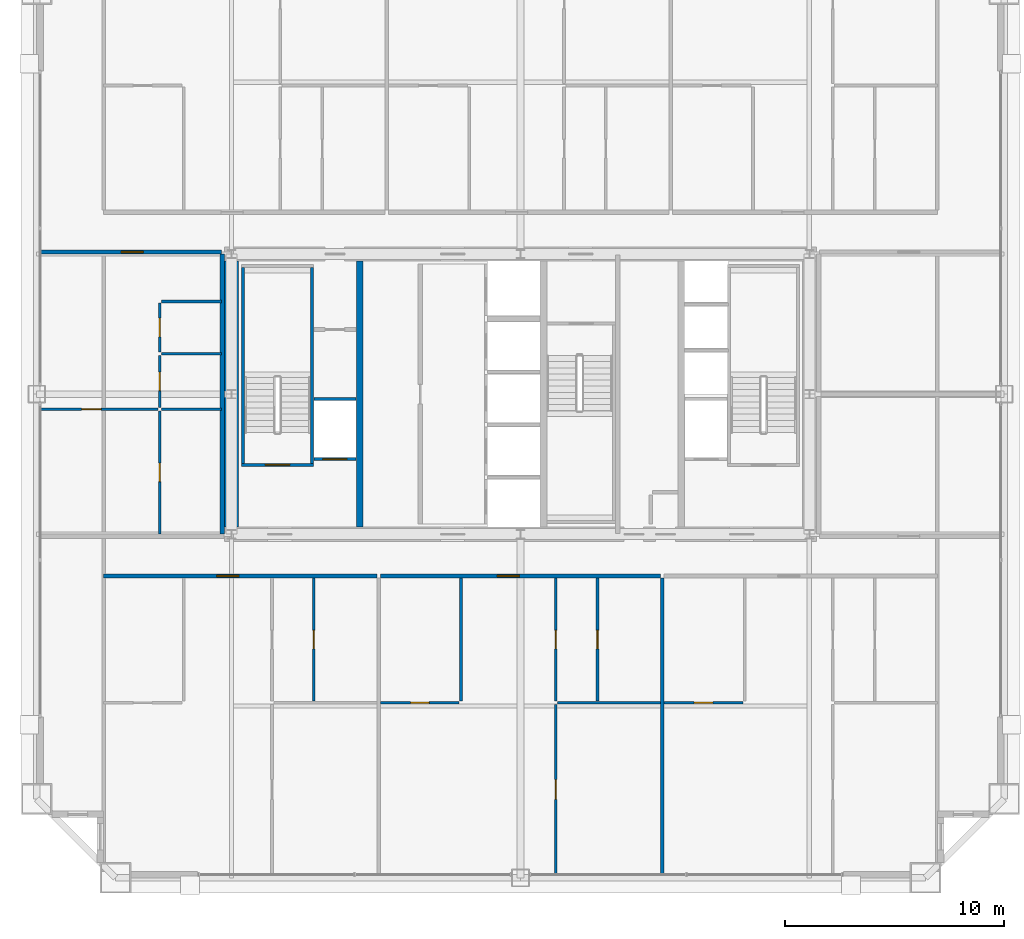
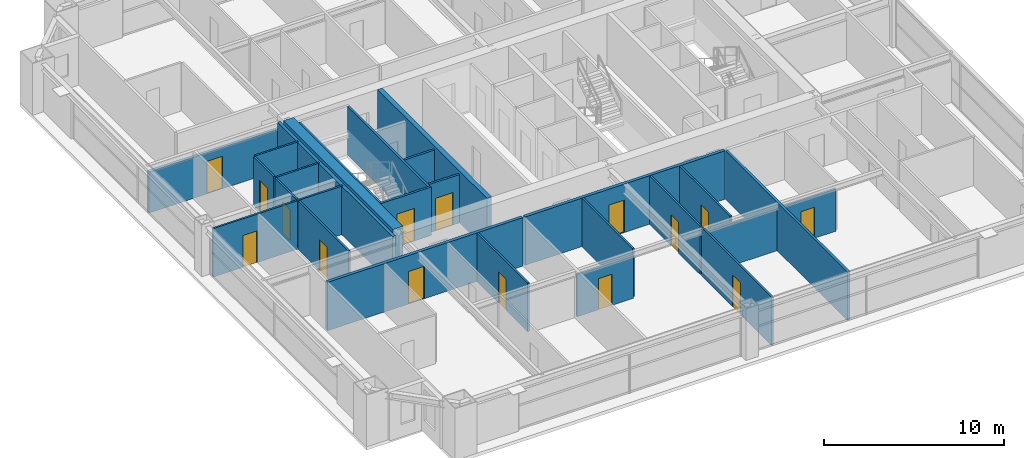
# One storey, part 33 of 38: 27 walls, 15 doors, 15 openings.
"""IFC4 building model written with IfcOpenShell, lengths in metres."""

from ifc_helpers import new_model, si_unit, direction, frame, frame_2d, origin, place, context, subcontext, project, spatial, rectangle, extrude, source, transform, mapped, material, layer, layer_set, type_object, element, fill, save


model = new_model("IFC4")

# Units and contexts
model_context = context("Model", 3, precision=1e-05, world=origin(), true_north=direction((0.0, 1.0)))
body_context = subcontext(model_context, "Body", "Model", "MODEL_VIEW")
ifc_project = project(units=[si_unit("LENGTHUNIT", "METRE"), si_unit("AREAUNIT", "SQUARE_METRE"), si_unit("VOLUMEUNIT", "CUBIC_METRE"), si_unit("PLANEANGLEUNIT", "RADIAN"), si_unit("MASSUNIT", "GRAM", prefix="KILO"), si_unit("THERMODYNAMICTEMPERATUREUNIT", "KELVIN"), si_unit("POWERUNIT", "WATT")], contexts=[model_context])

# Site, building, storey
site_placement = place(None, origin())
site = spatial("IfcSite", under=ifc_project, at=site_placement, CompositionType="ELEMENT")
building_placement = place(site_placement, origin())
building = spatial("IfcBuilding", under=site, at=building_placement, Name="Yuzanri Waterfront Tower", CompositionType="ELEMENT")
storey_placement = place(building_placement, frame((0.0, 0.0, 209.0)))
storey = spatial("IfcBuildingStorey", under=building, at=storey_placement, Name="L55", CompositionType="ELEMENT", Elevation=209.0)

# Wall, opening, door
ifc_material_1 = material(Name="Moisture-Resistant Gypsum Stud Wall", Category="gypsum")
ifc_layer_1 = layer(ifc_material_1, 0.1201171875)
ifc_layer_set_1 = layer_set([ifc_layer_1], Name="Moisture-Resistant Gypsum Stud Wall")
wall_type_1 = type_object("IfcWallType", Name="Bathroom and Kitchen Wet Partition 120", PredefinedType="PARTITIONING", material=ifc_layer_set_1)
wall_1_placement = place(storey_placement, frame((27.56005859375, 11.780029296875, 0.0), z_axis=(0.0, 0.0, 1.0), x_axis=(0.0, 1.0, 0.0)))
wall_1 = element("IfcWall", 1, at=wall_1_placement, inside=storey, type_object=wall_type_1, Name="L55 Partition UW-L55-RS1-SUB-2-W", PredefinedType="PARTITIONING", context=body_context, shape_type="SweptSolid", body=[
    extrude(rectangle(XDim=5.60986328125, YDim=0.1201171875, at=frame_2d((2.804931640625, 0.0))), origin(), (0.0, 0.0, 1.0), 3.280029296875),
])
opening_1_placement = place(wall_1_placement, frame((2.3798828125, 0.0, 0.0)))
opening_1 = element("IfcOpeningElement", 2, at=opening_1_placement, cuts=wall_1, Name="Opening ID-0850", PredefinedType="OPENING", context=body_context, shape_type="SweptSolid", body=[
    extrude(rectangle(XDim=0.85009765625, YDim=2.10009765625, at=frame_2d((0.425048828125, 1.050048828125))), frame((0.0, 0.074951171875, 0.0), z_axis=(0.0, -1.0, 0.0), x_axis=(1.0, 0.0, 0.0)), (0.0, 0.0, 1.0), 0.14990234375),
])
ifc_material_2 = material(Name="Moisture-Resistant Lacquered Timber", Category="wood")
door_type_1 = type_object("IfcDoorType", Name="En-Suite Bathroom and Kitchen Swing Door 850x2100", OperationType="NOTDEFINED", PredefinedType="DOOR", material=ifc_material_2)
shared_shape_1 = source(origin(), body_context, "Body", "SweptSolid", [
    extrude(rectangle(XDim=0.85009765625, YDim=2.10009765625, at=frame_2d((0.425048828125, 1.050048828125))), frame((0.0, 0.02490234375, 0.0), z_axis=(0.0, -1.0, 0.0), x_axis=(1.0, 0.0, 0.0)), (0.0, 0.0, 1.0), 0.050048828125),
])
door_1_placement = place(opening_1_placement, origin())
door_1 = element("IfcDoor", 3, at=door_1_placement, inside=storey, type_object=door_type_1, Name="L55 Suite Interior Room Door", OperationType="SINGLE_SWING_RIGHT", OverallHeight=2.10009765625, OverallWidth=0.85009765625, PredefinedType="DOOR", context=body_context, shape_type="MappedRepresentation", body=[
    mapped(shared_shape_1, transform((0.0, 0.0, 0.0), scale=1.0)),
])
fill(opening_1, door_1)

wall_2_placement = place(storey_placement, frame((30.60009765625, 11.699951171875, 0.0), z_axis=(0.0, 0.0, 1.0), x_axis=(1.0, 0.0, 0.0)))
wall_2 = element("IfcWall", 4, at=wall_2_placement, inside=storey, type_object=wall_type_1, Name="L55 Partition UW-L55-RS2-SUB-1-S", PredefinedType="PARTITIONING", context=body_context, shape_type="SweptSolid", body=[
    extrude(rectangle(XDim=3.599853515625, YDim=0.1201171875, at=frame_2d((1.7998046875, 0.0))), origin(), (0.0, 0.0, 1.0), 2.875),
])
opening_2_placement = place(wall_2_placement, frame((1.375, 0.0, 0.0)))
opening_2 = element("IfcOpeningElement", 5, at=opening_2_placement, cuts=wall_2, Name="Opening ID-0850", PredefinedType="OPENING", context=body_context, shape_type="SweptSolid", body=[
    extrude(rectangle(XDim=0.85009765625, YDim=2.10009765625, at=frame_2d((0.425048828125, 1.050048828125))), frame((0.0, 0.074951171875, 0.0), z_axis=(0.0, -1.0, 0.0), x_axis=(1.0, 0.0, 0.0)), (0.0, 0.0, 1.0), 0.14990234375),
])
door_2_placement = place(opening_2_placement, origin())
door_2 = element("IfcDoor", 6, at=door_2_placement, inside=storey, type_object=door_type_1, Name="L55 Suite Interior Room Door", OperationType="SINGLE_SWING_RIGHT", OverallHeight=2.10009765625, OverallWidth=0.85009765625, PredefinedType="DOOR", context=body_context, shape_type="MappedRepresentation", body=[
    mapped(shared_shape_1, transform((0.0, 0.0, 0.0), scale=1.0)),
])
fill(opening_2, door_2)

wall_3_placement = place(storey_placement, frame((40.52001953125, 11.780029296875, 0.0), z_axis=(0.0, 0.0, 1.0), x_axis=(0.0, 1.0, 0.0)))
wall_3 = element("IfcWall", 7, at=wall_3_placement, inside=storey, type_object=wall_type_1, Name="L55 Partition UW-L55-RS2-SUB-2-W", PredefinedType="PARTITIONING", context=body_context, shape_type="SweptSolid", body=[
    extrude(rectangle(XDim=5.60986328125, YDim=0.1201171875, at=frame_2d((2.804931640625, 0.0))), origin(), (0.0, 0.0, 1.0), 3.280029296875),
])
opening_3_placement = place(wall_3_placement, frame((2.3798828125, 0.0, 0.0)))
opening_3 = element("IfcOpeningElement", 8, at=opening_3_placement, cuts=wall_3, Name="Opening ID-0850", PredefinedType="OPENING", context=body_context, shape_type="SweptSolid", body=[
    extrude(rectangle(XDim=0.85009765625, YDim=2.10009765625, at=frame_2d((0.425048828125, 1.050048828125))), frame((0.0, 0.074951171875, 0.0), z_axis=(0.0, -1.0, 0.0), x_axis=(1.0, 0.0, 0.0)), (0.0, 0.0, 1.0), 0.14990234375),
])
door_3_placement = place(opening_3_placement, origin())
door_3 = element("IfcDoor", 9, at=door_3_placement, inside=storey, type_object=door_type_1, Name="L55 Suite Interior Room Door", OperationType="SINGLE_SWING_LEFT", OverallHeight=2.10009765625, OverallWidth=0.85009765625, PredefinedType="DOOR", context=body_context, shape_type="MappedRepresentation", body=[
    mapped(shared_shape_1, transform((0.0, 0.0, 0.0), scale=1.0)),
])
fill(opening_3, door_3)

wall_4_placement = place(storey_placement, frame((38.60791015625, 3.85009765625, 0.0), z_axis=(0.0, 0.0, 1.0), x_axis=(0.0, 1.0, 0.0)))
wall_4 = element("IfcWall", 10, at=wall_4_placement, inside=storey, type_object=wall_type_1, Name="L55 Partition UW-L55-RS2-SUB-3-W", PredefinedType="PARTITIONING", context=body_context, shape_type="SweptSolid", body=[
    extrude(rectangle(XDim=7.77001953125, YDim=0.1201171875, at=frame_2d((3.885009765625, 0.0))), origin(), (0.0, 0.0, 1.0), 3.280029296875),
])
opening_4_placement = place(wall_4_placement, frame((3.43505859375, 0.0, 0.0)))
opening_4 = element("IfcOpeningElement", 11, at=opening_4_placement, cuts=wall_4, Name="Opening ID-0900", PredefinedType="OPENING", context=body_context, shape_type="SweptSolid", body=[
    extrude(rectangle(XDim=0.89990234375, YDim=2.14990234375, at=frame_2d((0.449951171875, 1.074951171875))), frame((0.0, 0.074951171875, 0.0), z_axis=(0.0, -1.0, 0.0), x_axis=(1.0, 0.0, 0.0)), (0.0, 0.0, 1.0), 0.14990234375),
])
ifc_material_3 = material(Name="Stained Walnut Veneer Timber", Category="wood")
door_type_2 = type_object("IfcDoorType", Name="Bedroom and Study Interior Swing Door 900x2150", OperationType="NOTDEFINED", PredefinedType="DOOR", material=ifc_material_3)
shared_shape_2 = source(origin(), body_context, "Body", "SweptSolid", [
    extrude(rectangle(XDim=0.89990234375, YDim=2.14990234375, at=frame_2d((0.449951171875, 1.074951171875))), frame((0.0, 0.02490234375, 0.0), z_axis=(0.0, -1.0, 0.0), x_axis=(1.0, 0.0, 0.0)), (0.0, 0.0, 1.0), 0.050048828125),
])
door_4_placement = place(opening_4_placement, origin())
door_4 = element("IfcDoor", 12, at=door_4_placement, inside=storey, type_object=door_type_2, Name="L55 Suite Interior Room Door", OperationType="SINGLE_SWING_RIGHT", OverallHeight=2.14990234375, OverallWidth=0.89990234375, PredefinedType="DOOR", context=body_context, shape_type="MappedRepresentation", body=[
    mapped(shared_shape_2, transform((0.0, 0.0, 0.0), scale=1.0)),
])
fill(opening_4, door_4)

wall_5_placement = place(storey_placement, frame((38.60791015625, 11.780029296875, 0.0), z_axis=(0.0, 0.0, 1.0), x_axis=(0.0, 1.0, 0.0)))
wall_5 = element("IfcWall", 13, at=wall_5_placement, inside=storey, type_object=wall_type_1, Name="L55 Partition UW-L55-RS2-SUB-4-W", PredefinedType="PARTITIONING", context=body_context, shape_type="SweptSolid", body=[
    extrude(rectangle(XDim=5.60986328125, YDim=0.1201171875, at=frame_2d((2.804931640625, 0.0))), origin(), (0.0, 0.0, 1.0), 3.280029296875),
])
opening_5_placement = place(wall_5_placement, frame((2.3798828125, 0.0, 0.0)))
opening_5 = element("IfcOpeningElement", 14, at=opening_5_placement, cuts=wall_5, Name="Opening ID-0850", PredefinedType="OPENING", context=body_context, shape_type="SweptSolid", body=[
    extrude(rectangle(XDim=0.85009765625, YDim=2.10009765625, at=frame_2d((0.425048828125, 1.050048828125))), frame((0.0, 0.074951171875, 0.0), z_axis=(0.0, -1.0, 0.0), x_axis=(1.0, 0.0, 0.0)), (0.0, 0.0, 1.0), 0.14990234375),
])
door_5_placement = place(opening_5_placement, origin())
door_5 = element("IfcDoor", 15, at=door_5_placement, inside=storey, type_object=door_type_1, Name="L55 Suite Interior Room Door", OperationType="SINGLE_SWING_LEFT", OverallHeight=2.10009765625, OverallWidth=0.85009765625, PredefinedType="DOOR", context=body_context, shape_type="MappedRepresentation", body=[
    mapped(shared_shape_1, transform((0.0, 0.0, 0.0), scale=1.0)),
])
fill(opening_5, door_5)

wall_6_placement = place(storey_placement, frame((43.56005859375, 11.699951171875, 0.0), z_axis=(0.0, 0.0, 1.0), x_axis=(1.0, 0.0, 0.0)))
wall_6 = element("IfcWall", 16, at=wall_6_placement, inside=storey, type_object=wall_type_1, Name="L55 Partition UW-L55-RS3-SUB-1-S", PredefinedType="PARTITIONING", context=body_context, shape_type="SweptSolid", body=[
    extrude(rectangle(XDim=3.599853515625, YDim=0.1201171875, at=frame_2d((1.7998046875, 0.0))), origin(), (0.0, 0.0, 1.0), 2.875),
])
opening_6_placement = place(wall_6_placement, frame((1.375, 0.0, 0.0)))
opening_6 = element("IfcOpeningElement", 17, at=opening_6_placement, cuts=wall_6, Name="Opening ID-0850", PredefinedType="OPENING", context=body_context, shape_type="SweptSolid", body=[
    extrude(rectangle(XDim=0.85009765625, YDim=2.10009765625, at=frame_2d((0.425048828125, 1.050048828125))), frame((0.0, 0.074951171875, 0.0), z_axis=(0.0, -1.0, 0.0), x_axis=(1.0, 0.0, 0.0)), (0.0, 0.0, 1.0), 0.14990234375),
])
door_6_placement = place(opening_6_placement, origin())
door_6 = element("IfcDoor", 18, at=door_6_placement, inside=storey, type_object=door_type_1, Name="L55 Suite Interior Room Door", OperationType="SINGLE_SWING_LEFT", OverallHeight=2.10009765625, OverallWidth=0.85009765625, PredefinedType="DOOR", context=body_context, shape_type="MappedRepresentation", body=[
    mapped(shared_shape_1, transform((0.0, 0.0, 0.0), scale=1.0)),
])
fill(opening_6, door_6)

wall_7_placement = place(storey_placement, frame((20.52001953125, 25.193115234375, 0.0), z_axis=(0.0, 0.0, 1.0), x_axis=(0.0, 1.0, 0.0)))
wall_7 = element("IfcWall", 19, at=wall_7_placement, inside=storey, type_object=wall_type_1, Name="L55 Partition UW-L55-RW1-SUB-1-W", PredefinedType="PARTITIONING", context=body_context, shape_type="SweptSolid", body=[
    extrude(rectangle(XDim=2.37890625, YDim=0.1201171875, at=frame_2d((1.189453125, 0.0))), origin(), (0.0, 0.0, 1.0), 3.280029296875),
])
opening_7_placement = place(wall_7_placement, frame((0.764404296875, 0.0, 0.0)))
opening_7 = element("IfcOpeningElement", 20, at=opening_7_placement, cuts=wall_7, Name="Opening ID-0850", PredefinedType="OPENING", context=body_context, shape_type="SweptSolid", body=[
    extrude(rectangle(XDim=0.85009765625, YDim=2.10009765625, at=frame_2d((0.425048828125, 1.050048828125))), frame((0.0, 0.074951171875, 0.0), z_axis=(0.0, -1.0, 0.0), x_axis=(1.0, 0.0, 0.0)), (0.0, 0.0, 1.0), 0.14990234375),
])
door_7_placement = place(opening_7_placement, origin())
door_7 = element("IfcDoor", 21, at=door_7_placement, inside=storey, type_object=door_type_1, Name="L55 Suite Interior Room Door", OperationType="SINGLE_SWING_LEFT", OverallHeight=2.10009765625, OverallWidth=0.85009765625, PredefinedType="DOOR", context=body_context, shape_type="MappedRepresentation", body=[
    mapped(shared_shape_1, transform((0.0, 0.0, 0.0), scale=1.0)),
])
fill(opening_7, door_7)

wall_8_placement = place(storey_placement, frame((20.52001953125, 27.73193359375, 0.0), z_axis=(0.0, 0.0, 1.0), x_axis=(0.0, 1.0, 0.0)))
wall_8 = element("IfcWall", 22, at=wall_8_placement, inside=storey, type_object=wall_type_1, Name="L55 Partition UW-L55-RW1-SUB-2-W", PredefinedType="PARTITIONING", context=body_context, shape_type="SweptSolid", body=[
    extrude(rectangle(XDim=2.218994140625, YDim=0.1201171875, at=frame_2d((1.109375, 0.0))), origin(), (0.0, 0.0, 1.0), 3.280029296875),
])
opening_8_placement = place(wall_8_placement, frame((0.6845703125, 0.0, 0.0)))
opening_8 = element("IfcOpeningElement", 23, at=opening_8_placement, cuts=wall_8, Name="Opening ID-0850", PredefinedType="OPENING", context=body_context, shape_type="SweptSolid", body=[
    extrude(rectangle(XDim=0.85009765625, YDim=2.10009765625, at=frame_2d((0.425048828125, 1.050048828125))), frame((0.0, 0.074951171875, 0.0), z_axis=(0.0, -1.0, 0.0), x_axis=(1.0, 0.0, 0.0)), (0.0, 0.0, 1.0), 0.14990234375),
])
door_8_placement = place(opening_8_placement, origin())
door_8 = element("IfcDoor", 24, at=door_8_placement, inside=storey, type_object=door_type_1, Name="L55 Suite Interior Room Door", OperationType="SINGLE_SWING_RIGHT", OverallHeight=2.10009765625, OverallWidth=0.85009765625, PredefinedType="DOOR", context=body_context, shape_type="MappedRepresentation", body=[
    mapped(shared_shape_1, transform((0.0, 0.0, 0.0), scale=1.0)),
])
fill(opening_8, door_8)

wall_9_placement = place(storey_placement, frame((15.050048828125, 25.113037109375, 0.0), z_axis=(0.0, 0.0, 1.0), x_axis=(1.0, 0.0, 0.0)))
wall_9 = element("IfcWall", 25, at=wall_9_placement, inside=storey, type_object=wall_type_1, Name="L55 Partition UW-L55-RW1-SUB-3-N", PredefinedType="PARTITIONING", context=body_context, shape_type="SweptSolid", body=[
    extrude(rectangle(XDim=5.389892578125, YDim=0.1201171875, at=frame_2d((2.69482421875, 0.0))), origin(), (0.0, 0.0, 1.0), 3.280029296875),
])
opening_9_placement = place(wall_9_placement, frame((1.89599609375, 0.0, 0.0)))
opening_9 = element("IfcOpeningElement", 26, at=opening_9_placement, cuts=wall_9, Name="Opening ID-0900", PredefinedType="OPENING", context=body_context, shape_type="SweptSolid", body=[
    extrude(rectangle(XDim=0.89990234375, YDim=2.14990234375, at=frame_2d((0.449951171875, 1.074951171875))), frame((0.0, 0.074951171875, 0.0), z_axis=(0.0, -1.0, 0.0), x_axis=(1.0, 0.0, 0.0)), (0.0, 0.0, 1.0), 0.14990234375),
])
door_9_placement = place(opening_9_placement, origin())
door_9 = element("IfcDoor", 27, at=door_9_placement, inside=storey, type_object=door_type_2, Name="L55 Suite Interior Room Door", OperationType="SINGLE_SWING_LEFT", OverallHeight=2.14990234375, OverallWidth=0.89990234375, PredefinedType="DOOR", context=body_context, shape_type="MappedRepresentation", body=[
    mapped(shared_shape_2, transform((0.0, 0.0, 0.0), scale=1.0)),
])
fill(opening_9, door_9)

wall_10_placement = place(storey_placement, frame((20.52001953125, 19.409912109375, 0.0), z_axis=(0.0, 0.0, 1.0), x_axis=(0.0, 1.0, 0.0)))
wall_10 = element("IfcWall", 28, at=wall_10_placement, inside=storey, type_object=wall_type_1, Name="L55 Partition UW-L55-RW1-SUB-3-E", PredefinedType="PARTITIONING", context=body_context, shape_type="SweptSolid", body=[
    extrude(rectangle(XDim=5.623046875, YDim=0.1201171875, at=frame_2d((2.8115234375, 0.0))), origin(), (0.0, 0.0, 1.0), 3.280029296875),
])
opening_10_placement = place(wall_10_placement, frame((2.386474609375, 0.0, 0.0)))
opening_10 = element("IfcOpeningElement", 29, at=opening_10_placement, cuts=wall_10, Name="Opening ID-0850", PredefinedType="OPENING", context=body_context, shape_type="SweptSolid", body=[
    extrude(rectangle(XDim=0.85009765625, YDim=2.10009765625, at=frame_2d((0.425048828125, 1.050048828125))), frame((0.0, 0.074951171875, 0.0), z_axis=(0.0, -1.0, 0.0), x_axis=(1.0, 0.0, 0.0)), (0.0, 0.0, 1.0), 0.14990234375),
])
door_10_placement = place(opening_10_placement, origin())
door_10 = element("IfcDoor", 30, at=door_10_placement, inside=storey, type_object=door_type_1, Name="L55 Suite Interior Room Door", OperationType="SINGLE_SWING_RIGHT", OverallHeight=2.10009765625, OverallWidth=0.85009765625, PredefinedType="DOOR", context=body_context, shape_type="MappedRepresentation", body=[
    mapped(shared_shape_1, transform((0.0, 0.0, 0.0), scale=1.0)),
])
fill(opening_10, door_10)

ifc_material_4 = material(Name="Concrete C40", Category="concrete")
ifc_layer_2 = layer(ifc_material_4, 0.139892578125)
ifc_layer_set_2 = layer_set([ifc_layer_2], Name="Concrete C40")
wall_type_2 = type_object("IfcWallType", Name="Core Stair Liner and Hoistway Shaft Wall 140", PredefinedType="SOLIDWALL", material=ifc_layer_set_2)
wall_11_placement = place(storey_placement, frame((27.56005859375, 22.830078125, 0.0), z_axis=(0.0, 0.0, 1.0), x_axis=(1.0, 0.0, 0.0)))
wall_11 = element("IfcWall", 31, at=wall_11_placement, inside=storey, type_object=wall_type_2, Name="L55 Lift FL-01 Front Shaft Wall", PredefinedType="SOLIDWALL", context=body_context, shape_type="SweptSolid", body=[
    extrude(rectangle(XDim=1.919921875, YDim=0.139892578125, at=frame_2d((0.9599609375, 0.0))), origin(), (0.0, 0.0, 1.0), 3.280029296875),
])
opening_11_placement = place(wall_11_placement, frame((0.409912109375, 0.0, 0.0)))
opening_11 = element("IfcOpeningElement", 32, at=opening_11_placement, cuts=wall_11, Name="Opening LD-FL-01", PredefinedType="OPENING", context=body_context, shape_type="SweptSolid", body=[
    extrude(rectangle(XDim=1.10009765625, YDim=2.199951171875, at=frame_2d((0.550048828125, 1.10009765625))), frame((0.0, 0.0849609375, 0.0), z_axis=(0.0, -1.0, 0.0), x_axis=(1.0, 0.0, 0.0)), (0.0, 0.0, 1.0), 0.169677734375),
])
ifc_material_5 = material(Name="Brushed Bronze and Stainless Steel Cab", Category="steel")
door_type_3 = type_object("IfcDoorType", Name="Center-Parting Bronze Lift Landing Sliding Door 1100x2200", OperationType="NOTDEFINED", PredefinedType="DOOR", material=ifc_material_5)
shared_shape_3 = source(origin(), body_context, "Body", "SweptSolid", [
    extrude(rectangle(XDim=1.10009765625, YDim=2.199951171875, at=frame_2d((0.550048828125, 1.10009765625))), frame((0.0, 0.02490234375, 0.0), z_axis=(0.0, -1.0, 0.0), x_axis=(1.0, 0.0, 0.0)), (0.0, 0.0, 1.0), 0.050048828125),
])
door_11_placement = place(opening_11_placement, origin())
door_11 = element("IfcDoor", 33, at=door_11_placement, inside=storey, type_object=door_type_3, Name="L55 FL-01 Lift Landing Sliding Door", OperationType="SLIDING_TO_LEFT", OverallHeight=2.199951171875, OverallWidth=1.10009765625, PredefinedType="DOOR", context=body_context, shape_type="MappedRepresentation", body=[
    mapped(shared_shape_3, transform((0.0, 0.0, 0.0), scale=1.0)),
])
fill(opening_11, door_11)

wall_12_placement = place(storey_placement, frame((24.260009765625, 22.570068359375, 0.0), z_axis=(0.0, 0.0, 1.0), x_axis=(1.0, 0.0, 0.0)))
wall_12 = element("IfcWall", 34, at=wall_12_placement, inside=storey, type_object=wall_type_2, Name="L55 Shaft Wall STW-L55-ST-01-S", PredefinedType="SOLIDWALL", context=body_context, shape_type="SweptSolid", body=[
    extrude(rectangle(XDim=3.280029296875, YDim=0.139892578125, at=frame_2d((1.64013671875, 0.0))), origin(), (0.0, 0.0, 1.0), 3.280029296875),
])
opening_12_placement = place(wall_12_placement, frame((1.090087890625, 0.0, 0.0)))
opening_12 = element("IfcOpeningElement", 35, at=opening_12_placement, cuts=wall_12, Name="Opening FD-1100", PredefinedType="OPENING", context=body_context, shape_type="SweptSolid", body=[
    extrude(rectangle(XDim=1.10009765625, YDim=2.199951171875, at=frame_2d((0.550048828125, 1.10009765625))), frame((0.0, 0.0849609375, 0.0), z_axis=(0.0, -1.0, 0.0), x_axis=(1.0, 0.0, 0.0)), (0.0, 0.0, 1.0), 0.169677734375),
])
ifc_material_6 = material(Name="Painted Galvanized Fire Steel", Category="steel")
door_type_4 = type_object("IfcDoorType", Name="Smoke-Proof Stair and Lobby Fire Door 1100x2200", OperationType="NOTDEFINED", PredefinedType="DOOR", material=ifc_material_6)
shared_shape_4 = source(origin(), body_context, "Body", "SweptSolid", [
    extrude(rectangle(XDim=1.10009765625, YDim=2.199951171875, at=frame_2d((0.550048828125, 1.10009765625))), frame((0.0, 0.02490234375, 0.0), z_axis=(0.0, -1.0, 0.0), x_axis=(1.0, 0.0, 0.0)), (0.0, 0.0, 1.0), 0.050048828125),
])
door_12_placement = place(opening_12_placement, origin())
door_12 = element("IfcDoor", 36, at=door_12_placement, inside=storey, type_object=door_type_4, Name="L55 Stair ST-01 Fire Door", OperationType="SINGLE_SWING_LEFT", OverallHeight=2.199951171875, OverallWidth=1.10009765625, PredefinedType="DOOR", context=body_context, shape_type="MappedRepresentation", body=[
    mapped(shared_shape_4, transform((0.0, 0.0, 0.0), scale=1.0)),
])
fill(opening_12, door_12)

ifc_material_7 = material(Name="Autoclaved Aerated Concrete Blockwork", Category="masonry")
ifc_layer_3 = layer(ifc_material_7, 0.199951171875)
ifc_layer_set_3 = layer_set([ifc_layer_3], Name="Autoclaved Aerated Concrete Blockwork")
wall_type_3 = type_object("IfcWallType", Name="Corridor and Unit Party Fire Wall 200", PredefinedType="PARTITIONING", material=ifc_layer_set_3)
wall_13_placement = place(storey_placement, frame((17.93994140625, 17.489990234375, 0.0), z_axis=(0.0, 0.0, 1.0), x_axis=(1.0, 0.0, 0.0)))
wall_13 = element("IfcWall", 37, at=wall_13_placement, inside=storey, type_object=wall_type_3, Name="L55 Partition UW-L55-RS1-CN", PredefinedType="PARTITIONING", context=body_context, shape_type="SweptSolid", body=[
    extrude(rectangle(XDim=12.5, YDim=0.199951171875, at=frame_2d((6.25, 0.0))), origin(), (0.0, 0.0, 1.0), 3.280029296875),
])
opening_13_placement = place(wall_13_placement, frame((5.194091796875, 0.0, 0.0)))
opening_13 = element("IfcOpeningElement", 38, at=opening_13_placement, cuts=wall_13, Name="Opening FD-1000", PredefinedType="OPENING", context=body_context, shape_type="SweptSolid", body=[
    extrude(rectangle(XDim=1.0, YDim=2.199951171875, at=frame_2d((0.5, 1.10009765625))), frame((0.0, 0.11474609375, 0.0), z_axis=(0.0, -1.0, 0.0), x_axis=(1.0, 0.0, 0.0)), (0.0, 0.0, 1.0), 0.229736328125),
])
ifc_material_8 = material(Name="Engineered Oak Fire-Rated Timber", Category="wood")
door_type_5 = type_object("IfcDoorType", Name="Guestroom and Apartment Entrance Fire Door 1000x2200", OperationType="NOTDEFINED", PredefinedType="DOOR", material=ifc_material_8)
shared_shape_5 = source(origin(), body_context, "Body", "SweptSolid", [
    extrude(rectangle(XDim=1.0, YDim=2.199951171875, at=frame_2d((0.5, 1.10009765625))), frame((0.0, 0.02490234375, 0.0), z_axis=(0.0, -1.0, 0.0), x_axis=(1.0, 0.0, 0.0)), (0.0, 0.0, 1.0), 0.050048828125),
])
door_13_placement = place(opening_13_placement, origin())
door_13 = element("IfcDoor", 39, at=door_13_placement, inside=storey, type_object=door_type_5, Name="L55 Apartment Living Room Entrance Door", OperationType="SINGLE_SWING_RIGHT", OverallHeight=2.199951171875, OverallWidth=1.0, PredefinedType="DOOR", context=body_context, shape_type="MappedRepresentation", body=[
    mapped(shared_shape_5, transform((0.0, 0.0, 0.0), scale=1.0)),
])
fill(opening_13, door_13)

wall_14_placement = place(storey_placement, frame((30.60009765625, 17.489990234375, 0.0), z_axis=(0.0, 0.0, 1.0), x_axis=(1.0, 0.0, 0.0)))
wall_14 = element("IfcWall", 40, at=wall_14_placement, inside=storey, type_object=wall_type_3, Name="L55 Partition UW-L55-RS2-CN", PredefinedType="PARTITIONING", context=body_context, shape_type="SweptSolid", body=[
    extrude(rectangle(XDim=12.7998046875, YDim=0.199951171875, at=frame_2d((6.39990234375, 0.0))), origin(), (0.0, 0.0, 1.0), 3.280029296875),
])
opening_14_placement = place(wall_14_placement, frame((5.343994140625, 0.0, 0.0)))
opening_14 = element("IfcOpeningElement", 41, at=opening_14_placement, cuts=wall_14, Name="Opening FD-1000", PredefinedType="OPENING", context=body_context, shape_type="SweptSolid", body=[
    extrude(rectangle(XDim=1.0, YDim=2.199951171875, at=frame_2d((0.5, 1.10009765625))), frame((0.0, 0.11474609375, 0.0), z_axis=(0.0, -1.0, 0.0), x_axis=(1.0, 0.0, 0.0)), (0.0, 0.0, 1.0), 0.229736328125),
])
door_14_placement = place(opening_14_placement, origin())
door_14 = element("IfcDoor", 42, at=door_14_placement, inside=storey, type_object=door_type_5, Name="L55 Apartment Living Room Entrance Door", OperationType="SINGLE_SWING_LEFT", OverallHeight=2.199951171875, OverallWidth=1.0, PredefinedType="DOOR", context=body_context, shape_type="MappedRepresentation", body=[
    mapped(shared_shape_5, transform((0.0, 0.0, 0.0), scale=1.0)),
])
fill(opening_14, door_14)

wall_15_placement = place(storey_placement, frame((15.050048828125, 32.2900390625, 0.0), z_axis=(0.0, 0.0, 1.0), x_axis=(1.0, 0.0, 0.0)))
wall_15 = element("IfcWall", 43, at=wall_15_placement, inside=storey, type_object=wall_type_3, Name="L55 Partition UW-L55-RW1-CN", PredefinedType="PARTITIONING", context=body_context, shape_type="SweptSolid", body=[
    extrude(rectangle(XDim=8.300048828125, YDim=0.199951171875, at=frame_2d((4.14990234375, 0.0))), origin(), (0.0, 0.0, 1.0), 2.77490234375),
])
opening_15_placement = place(wall_15_placement, frame((3.715087890625, 0.0, 0.0)))
opening_15 = element("IfcOpeningElement", 44, at=opening_15_placement, cuts=wall_15, Name="Opening FD-1000", PredefinedType="OPENING", context=body_context, shape_type="SweptSolid", body=[
    extrude(rectangle(XDim=1.0, YDim=2.199951171875, at=frame_2d((0.5, 1.10009765625))), frame((0.0, 0.11474609375, 0.0), z_axis=(0.0, -1.0, 0.0), x_axis=(1.0, 0.0, 0.0)), (0.0, 0.0, 1.0), 0.229736328125),
])
door_15_placement = place(opening_15_placement, origin())
door_15 = element("IfcDoor", 45, at=door_15_placement, inside=storey, type_object=door_type_5, Name="L55 Wing Residence Living and Dining Room Entrance Door", OperationType="SINGLE_SWING_RIGHT", OverallHeight=2.199951171875, OverallWidth=1.0, PredefinedType="DOOR", context=body_context, shape_type="MappedRepresentation", body=[
    mapped(shared_shape_5, transform((0.0, 0.0, 0.0), scale=1.0)),
])
fill(opening_15, door_15)

# Walls
ifc_material_9 = material(Name="Concrete C50", Category="concrete")
ifc_layer_4 = layer(ifc_material_9, 0.64990234375)
ifc_layer_set_4 = layer_set([ifc_layer_4], Name="Concrete C50")
wall_type_4 = type_object("IfcWallType", Name="Concrete C50 Mid Zone Core Shear Wall 650", PredefinedType="SHEAR", material=ifc_layer_set_4)
shared_shape_6 = source(origin(), body_context, "Body", "SweptSolid", [
    extrude(rectangle(XDim=12.14990234375, YDim=0.64990234375, at=frame_2d((6.074951171875, 0.0))), origin(), (0.0, 0.0, 1.0), 3.5),
])
wall_16_placement = place(storey_placement, frame((23.800048828125, 19.72509765625, 0.0), z_axis=(0.0, 0.0, 1.0), x_axis=(0.0, 1.0, 0.0)))
element("IfcWall", 46, at=wall_16_placement, inside=storey, type_object=wall_type_4, Name="L55 Core West Shear Wall", PredefinedType="SHEAR", context=body_context, shape_type="MappedRepresentation", body=[
    mapped(shared_shape_6, transform((0.0, 0.0, 0.0), scale=1.0)),
])
ifc_material_10 = material(Name="Concrete C50", Category="concrete")
ifc_layer_5 = layer(ifc_material_10, 0.300048828125)
ifc_layer_set_5 = layer_set([ifc_layer_5], Name="Concrete C50")
wall_type_5 = type_object("IfcWallType", Name="Concrete C50 Internal Core Shaft Structural Wall 300", PredefinedType="SOLIDWALL", material=ifc_layer_set_5)
shared_shape_7 = source(origin(), body_context, "Body", "SweptSolid", [
    extrude(rectangle(XDim=12.14990234375, YDim=0.300048828125, at=frame_2d((6.074951171875, 0.0))), origin(), (0.0, 0.0, 1.0), 3.5),
])
wall_17_placement = place(storey_placement, frame((29.64990234375, 19.72509765625, 0.0), z_axis=(0.0, 0.0, 1.0), x_axis=(0.0, 1.0, 0.0)))
element("IfcWall", 47, at=wall_17_placement, inside=storey, type_object=wall_type_5, Name="L55 Core Internal Structural Web Wall 1", PredefinedType="SOLIDWALL", context=body_context, shape_type="MappedRepresentation", body=[
    mapped(shared_shape_7, transform((0.0, 0.0, 0.0), scale=1.0)),
])
shared_shape_8 = source(origin(), body_context, "Body", "SweptSolid", [
    extrude(rectangle(XDim=1.919921875, YDim=0.139892578125, at=frame_2d((0.9599609375, 0.0))), origin(), (0.0, 0.0, 1.0), 3.280029296875),
])
wall_18_placement = place(storey_placement, frame((27.56005859375, 25.570068359375, 0.0), z_axis=(0.0, 0.0, 1.0), x_axis=(1.0, 0.0, 0.0)))
element("IfcWall", 48, at=wall_18_placement, inside=storey, type_object=wall_type_2, Name="L55 Lift FL-01 Back Shaft Wall", PredefinedType="SOLIDWALL", context=body_context, shape_type="MappedRepresentation", body=[
    mapped(shared_shape_8, transform((0.0, 0.0, 0.0), scale=1.0)),
])
shared_shape_9 = source(origin(), body_context, "Body", "SweptSolid", [
    extrude(rectangle(XDim=8.940185546875, YDim=0.139892578125, at=frame_2d((4.47021484375, 0.0))), origin(), (0.0, 0.0, 1.0), 3.280029296875),
])
for number, where, z_axis, x_axis, name in (
    (49, (24.330078125, 22.639892578125, 0.0), (0.0, 0.0, 1.0), (0.0, 1.0, 0.0), "L55 Stair ST-01 West Shaft Wall"),
    (50, (27.469970703125, 22.639892578125, 0.0), (0.0, 0.0, 1.0), (0.0, 1.0, 0.0), "L55 Stair ST-01 East Shaft Wall"),
):
    element("IfcWall", number, at=place(storey_placement, frame(where, z_axis=z_axis, x_axis=x_axis)), inside=storey, type_object=wall_type_2, Name=name, PredefinedType="SOLIDWALL", context=body_context, shape_type="MappedRepresentation", body=[
        mapped(shared_shape_9, transform((0.0, 0.0, 0.0), scale=1.0)),
    ])
ifc_material_11 = material(Name="Gypsum Fireboard Acoustic Stud Wall", Category="gypsum")
ifc_layer_6 = layer(ifc_material_11, 0.159912109375)
ifc_layer_set_6 = layer_set([ifc_layer_6], Name="Gypsum Fireboard Acoustic Stud Wall")
wall_type_6 = type_object("IfcWallType", Name="Acoustic Suite Demising Partition 160", PredefinedType="PARTITIONING", material=ifc_layer_set_6)
shared_shape_10 = source(origin(), body_context, "Body", "SweptSolid", [
    extrude(rectangle(XDim=13.539794921875, YDim=0.159912109375, at=frame_2d((6.77001953125, 0.0))), origin(), (0.0, 0.0, 1.0), 3.280029296875),
])
wall_19_placement = place(storey_placement, frame((43.47998046875, 3.85009765625, 0.0), z_axis=(0.0, 0.0, 1.0), x_axis=(0.0, 1.0, 0.0)))
element("IfcWall", 51, at=wall_19_placement, inside=storey, type_object=wall_type_6, Name="L55-RS2 Party Wall", PredefinedType="PARTITIONING", context=body_context, shape_type="MappedRepresentation", body=[
    mapped(shared_shape_10, transform((0.0, 0.0, 0.0), scale=1.0)),
])
shared_shape_11 = source(origin(), body_context, "Body", "SweptSolid", [
    extrude(rectangle(XDim=12.780029296875, YDim=0.199951171875, at=frame_2d((6.39013671875, 0.0))), origin(), (0.0, 0.0, 1.0), 3.280029296875),
])
wall_20_placement = place(storey_placement, frame((23.3701171875, 19.409912109375, 0.0), z_axis=(0.0, 0.0, 1.0), x_axis=(0.0, 1.0, 0.0)))
element("IfcWall", 52, at=wall_20_placement, inside=storey, type_object=wall_type_3, Name="L55-RW1 Wing Inner Core-Side Wall", PredefinedType="PARTITIONING", context=body_context, shape_type="MappedRepresentation", body=[
    mapped(shared_shape_11, transform((0.0, 0.0, 0.0), scale=1.0)),
])
shared_shape_12 = source(origin(), body_context, "Body", "SweptSolid", [
    extrude(rectangle(XDim=2.75, YDim=0.1201171875, at=frame_2d((1.375, 0.0))), origin(), (0.0, 0.0, 1.0), 3.280029296875),
])
for number, where, z_axis, x_axis, name in (
    (53, (20.60009765625, 25.113037109375, 0.0), (0.0, 0.0, 1.0), (1.0, 0.0, 0.0), "L55 Partition UW-L55-RW1-SUB-1-S"),
    (54, (20.60009765625, 27.652099609375, 0.0), (0.0, 0.0, 1.0), (1.0, 0.0, 0.0), "L55 Partition UW-L55-RW1-SUB-1-N"),
    (55, (20.60009765625, 30.031005859375, 0.0), (0.0, 0.0, 1.0), (1.0, 0.0, 0.0), "L55 Partition UW-L55-RW1-SUB-2-N"),
):
    element("IfcWall", number, at=place(storey_placement, frame(where, z_axis=z_axis, x_axis=x_axis)), inside=storey, type_object=wall_type_1, Name=name, PredefinedType="PARTITIONING", context=body_context, shape_type="MappedRepresentation", body=[
        mapped(shared_shape_12, transform((0.0, 0.0, 0.0), scale=1.0)),
    ])
shared_shape_13 = source(origin(), body_context, "Body", "SweptSolid", [
    extrude(rectangle(XDim=5.60986328125, YDim=0.1201171875, at=frame_2d((2.804931640625, 0.0))), origin(), (0.0, 0.0, 1.0), 3.280029296875),
])
wall_21_placement = place(storey_placement, frame((34.280029296875, 11.780029296875, 0.0), z_axis=(0.0, 0.0, 1.0), x_axis=(0.0, 1.0, 0.0)))
element("IfcWall", 56, at=wall_21_placement, inside=storey, type_object=wall_type_1, Name="L55 Partition UW-L55-RS2-SUB-1-E", PredefinedType="PARTITIONING", context=body_context, shape_type="MappedRepresentation", body=[
    mapped(shared_shape_13, transform((0.0, 0.0, 0.0), scale=1.0)),
])
shared_shape_14 = source(origin(), body_context, "Body", "SweptSolid", [
    extrude(rectangle(XDim=4.7119140625, YDim=0.1201171875, at=frame_2d((2.35595703125, 0.0))), origin(), (0.0, 0.0, 1.0), 2.875),
])
wall_22_placement = place(storey_placement, frame((38.68798828125, 11.699951171875, 0.0), z_axis=(0.0, 0.0, 1.0), x_axis=(1.0, 0.0, 0.0)))
element("IfcWall", 57, at=wall_22_placement, inside=storey, type_object=wall_type_1, Name="L55 Partition UW-L55-RS2-SUB-3-N", PredefinedType="PARTITIONING", context=body_context, shape_type="MappedRepresentation", body=[
    mapped(shared_shape_14, transform((0.0, 0.0, 0.0), scale=1.0)),
])

save(model, "model.ifc")
